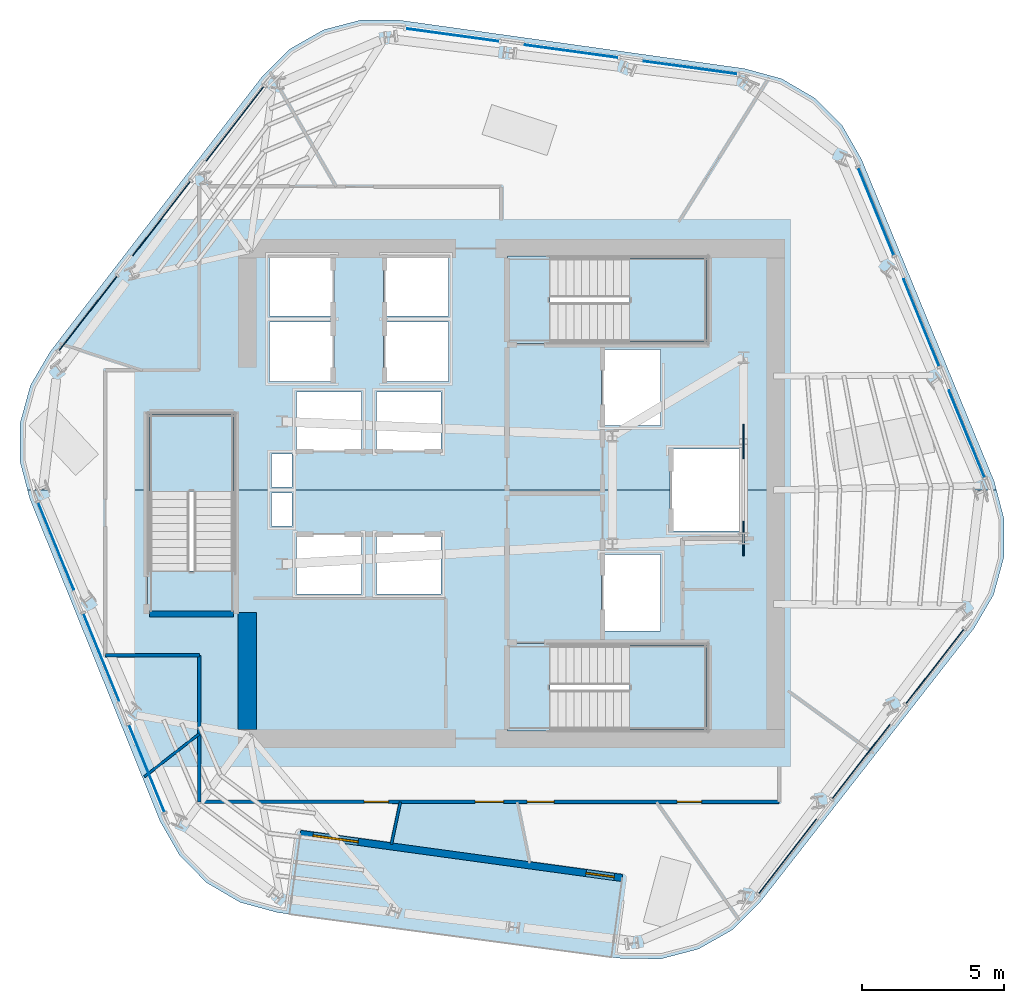
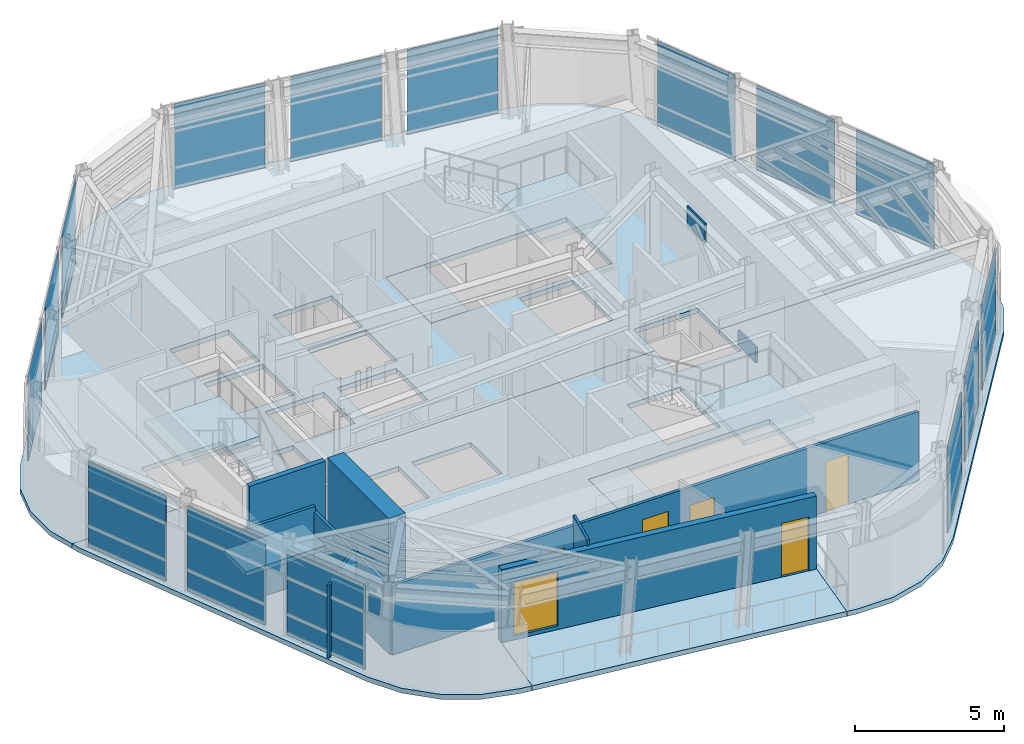
# One storey, part 5 of 12: 17 plates, 9 slabs, 8 walls, 5 doors, 1 window, 6 openings, 8 elements without a shape of their own.
"""IFC4 building model written with IfcOpenShell, lengths in metres."""

import ifcopenshell
import ifcopenshell.guid

model = None  # the IFC model being written
_history = None  # IfcOwnerHistory: only IFC2X3 demands one
_inside = {}  # id of a spatial element -> (the spatial element, [elements in it])
_under = {}  # id of a project, library or spatial element -> (it, [spatial elements below it])
_declared = {}  # id of a project -> (the project, [libraries it declares])
_typed = {}  # id of a type object -> (the type object, [elements of that type])
_made_of = {}  # id of a material, layer set ... -> (it, [elements and type objects made of it])


def new_model(schema):
    """Start an empty IFC model of exactly this schema.

    Asked for "IFC4X3", IfcOpenShell would pick the latest addendum, in which some entities
    have other attributes; the version numbers below select the first issue.
    IFC2X3 requires an IfcOwnerHistory on every rooted entity: one is made here for all.
    """
    global model, _history
    if schema == "IFC4X3":
        model = ifcopenshell.file(schema_version=(4, 3, 0, 0))
    else:
        model = ifcopenshell.file(schema=schema)
    _inside.clear()
    _under.clear()
    _declared.clear()
    _typed.clear()
    _made_of.clear()
    _history = None
    if model.schema == "IFC2X3":
        org = make("IfcOrganization", Name="unknown")
        user = make(
            "IfcPersonAndOrganization",
            ThePerson=make("IfcPerson", FamilyName="unknown"),
            TheOrganization=org,
        )
        app = make(
            "IfcApplication",
            ApplicationDeveloper=org,
            Version="unknown",
            ApplicationFullName="unknown",
            ApplicationIdentifier="unknown",
        )
        _history = make(
            "IfcOwnerHistory",
            OwningUser=user,
            OwningApplication=app,
            ChangeAction="ADDED",
            CreationDate=0,
        )
    return model


def make(cls, **values):
    """One entity of the class cls with the attributes given. An attribute that is None is left unset."""
    return model.create_entity(
        cls, **{name: value for name, value in values.items() if value is not None}
    )


def rooted(cls, **values):
    """An entity with a GlobalId (a new one), such as an element, a storey or a relation."""
    return make(cls, GlobalId=ifcopenshell.guid.new(), OwnerHistory=_history, **values)


def si_unit(unit_type, name, prefix=None):
    """IfcSIUnit, for example si_unit("LENGTHUNIT", "METRE", prefix="MILLI")."""
    return make("IfcSIUnit", UnitType=unit_type, Prefix=prefix, Name=name)


def assignment(units):
    """IfcUnitAssignment: the units of a project."""
    return None if units is None else make("IfcUnitAssignment", Units=units)


def point(xyz):
    """IfcCartesianPoint."""
    return None if xyz is None else make("IfcCartesianPoint", Coordinates=xyz)


def direction(xyz):
    """IfcDirection."""
    return None if xyz is None else make("IfcDirection", DirectionRatios=xyz)


def frame(location, z_axis=None, x_axis=None):
    """IfcAxis2Placement3D, a coordinate frame: its origin and axes. An axis left out is left unset."""
    return make(
        "IfcAxis2Placement3D",
        Location=point(location),
        Axis=direction(z_axis),
        RefDirection=direction(x_axis),
    )


def frame_2d(location, x_axis=None):
    """IfcAxis2Placement2D, a coordinate frame in the plane: its origin and x axis."""
    return make(
        "IfcAxis2Placement2D", Location=point(location), RefDirection=direction(x_axis)
    )


def origin():
    """The frame at (0, 0, 0) with its axes left unset."""
    return frame((0.0, 0.0, 0.0))


def origin_2d():
    """The frame at (0, 0) in the plane with its x axis left unset."""
    return frame_2d((0.0, 0.0))


def place(relative_to, where):
    """IfcLocalPlacement: puts the frame where relative to a parent placement (None: the world)."""
    return make(
        "IfcLocalPlacement", PlacementRelTo=relative_to, RelativePlacement=where
    )


def context(
    kind, dimensions, precision=None, world=None, true_north=None, identifier=None
):
    """IfcGeometricRepresentationContext, for example the 3D "Model" context."""
    return make(
        "IfcGeometricRepresentationContext",
        ContextIdentifier=identifier,
        ContextType=kind,
        CoordinateSpaceDimension=dimensions,
        Precision=precision,
        WorldCoordinateSystem=world,
        TrueNorth=true_north,
    )


def subcontext(parent, identifier, kind, view, scale=None):
    """IfcGeometricRepresentationSubContext, for example "Body" below "Model"."""
    return make(
        "IfcGeometricRepresentationSubContext",
        ContextIdentifier=identifier,
        ContextType=kind,
        ParentContext=parent,
        TargetScale=scale,
        TargetView=view,
    )


def project(units=None, contexts=None):
    """IfcProject with its units and contexts."""
    return rooted(
        "IfcProject",
        Name="project",
        RepresentationContexts=contexts,
        UnitsInContext=assignment(units),
    )


def spatial(cls, under=None, at=None, **own):
    """A site, building, storey or space (cls), placed at a placement, below another one or the project."""
    s = rooted(cls, ObjectPlacement=at, **own)
    if under is not None:
        _under.setdefault(under.id(), (under, []))[1].append(s)
    return s


def polyline(points):
    """IfcPolyline through the points."""
    return make("IfcPolyline", Points=[point(p) for p in points])


def profile(cls, at=None, kind="AREA", **sizes):
    """A parametric profile (cls). Its sizes go by their IFC names, for example OverallWidth=200.0."""
    return make(cls, ProfileType=kind, Position=at, **sizes)


def rectangle(**sizes):
    """IfcRectangleProfileDef."""
    return profile("IfcRectangleProfileDef", **sizes)


def outline(outer, holes=None, kind="AREA"):
    """IfcArbitraryClosedProfileDef: a profile drawn as a closed curve; with holes, ...WithVoids."""
    if holes is None:
        return make("IfcArbitraryClosedProfileDef", ProfileType=kind, OuterCurve=outer)
    return make(
        "IfcArbitraryProfileDefWithVoids",
        ProfileType=kind,
        OuterCurve=outer,
        InnerCurves=holes,
    )


def extrude(swept, where, along, depth):
    """IfcExtrudedAreaSolid: the profile swept, set in the frame where, extruded along a direction by depth."""
    return make(
        "IfcExtrudedAreaSolid",
        SweptArea=swept,
        Position=where,
        ExtrudedDirection=direction(along),
        Depth=depth,
    )


def shape(context_of_items, identifier, shape_type, items):
    """IfcShapeRepresentation: the items that make up one representation, for example the "Body"."""
    return make(
        "IfcShapeRepresentation",
        ContextOfItems=context_of_items,
        RepresentationIdentifier=identifier,
        RepresentationType=shape_type,
        Items=items,
    )


def material(Name=None, Category=None):
    """IfcMaterial."""
    return make("IfcMaterial", Name=Name, Category=Category)


def layer(
    of_material, thickness, ventilated=None, Name=None, Category=None, Priority=None
):
    """IfcMaterialLayer: one layer of a wall or slab, of a material (None: an air gap)."""
    return make(
        "IfcMaterialLayer",
        Material=of_material,
        LayerThickness=thickness,
        IsVentilated=ventilated,
        Name=Name,
        Category=Category,
        Priority=Priority,
    )


def layer_set(layers, Name=None):
    """IfcMaterialLayerSet."""
    return make("IfcMaterialLayerSet", MaterialLayers=layers, LayerSetName=Name)


def made_of(thing, what):
    """Note that an element or type object is made of a material, layer set ...; save() writes the relation."""
    if what is not None:
        _made_of.setdefault(what.id(), (what, []))[1].append(thing)
    return thing


def type_object(cls, material=None, **own):
    """A type object (cls), such as IfcWallType, which elements share."""
    return made_of(rooted(cls, **own), material)


def element(
    cls,
    number,
    at=None,
    inside=None,
    cuts=None,
    type_object=None,
    material=None,
    context=None,
    identifier="Body",
    shape_type=None,
    held_by="IfcProductDefinitionShape",
    body=None,
    shapes=None,
    **own,
):
    """One element of the class cls, such as IfcWall. Its Tag is "e" and its number.

    at: its placement. inside: the storey or other place that contains it. cuts: it is an
    opening in that element (IfcRelVoidsElement). A single representation is given by context,
    identifier, shape_type and body (its items); several are given by shapes. held_by: the class
    of the entity that holds the representations. save() writes the other relations.
    """
    e = rooted(cls, Tag="e%d" % number, ObjectPlacement=at, **own)
    if body is not None:
        shapes = [shape(context, identifier, shape_type, body)]
    if shapes is not None:
        e.Representation = make(held_by, Representations=shapes)
    if inside is not None:
        _inside.setdefault(inside.id(), (inside, []))[1].append(e)
    if cuts is not None:
        rooted(
            "IfcRelVoidsElement", RelatingBuildingElement=cuts, RelatedOpeningElement=e
        )
    if type_object is not None:
        _typed.setdefault(type_object.id(), (type_object, []))[1].append(e)
    return made_of(e, material)


def fill(opening, filler):
    """IfcRelFillsElement: the door or window that sits in an opening."""
    return rooted(
        "IfcRelFillsElement",
        RelatingOpeningElement=opening,
        RelatedBuildingElement=filler,
    )


def aggregate(whole, parts):
    """IfcRelAggregates: a whole, such as a stair, and the parts it consists of."""
    return rooted("IfcRelAggregates", RelatingObject=whole, RelatedObjects=parts)


def save(model, path):
    """Write the relations noted so far, then the file.

    IfcRelAggregates (storeys below a building ...), IfcRelContainedInSpatialStructure (elements
    in a storey), IfcRelDefinesByType, IfcRelAssociatesMaterial and IfcRelDeclares: one each for
    every whole, place, type object, material and project.
    """
    for whole, parts in _under.values():
        aggregate(whole, parts)
    for where, things in _inside.values():
        rooted(
            "IfcRelContainedInSpatialStructure",
            RelatedElements=things,
            RelatingStructure=where,
        )
    for kind, things in _typed.values():
        rooted("IfcRelDefinesByType", RelatedObjects=things, RelatingType=kind)
    for what, things in _made_of.values():
        rooted("IfcRelAssociatesMaterial", RelatedObjects=things, RelatingMaterial=what)
    for by, libraries in _declared.values():
        rooted("IfcRelDeclares", RelatingContext=by, RelatedDefinitions=libraries)
    model.write(path)


model = new_model("IFC4")

# Units and contexts
model_context = context("Model", 3, precision=1e-05, world=origin(), true_north=direction((0.0, 1.0)))
body_context = subcontext(model_context, "Body", "Model", "MODEL_VIEW")
ifc_project = project(units=[si_unit("LENGTHUNIT", "METRE"), si_unit("AREAUNIT", "SQUARE_METRE"), si_unit("VOLUMEUNIT", "CUBIC_METRE"), si_unit("PLANEANGLEUNIT", "RADIAN"), si_unit("MASSUNIT", "GRAM", prefix="KILO")], contexts=[model_context])

# Site, building, storey
site_placement = place(None, origin())
site = spatial("IfcSite", under=ifc_project, at=site_placement, CompositionType="ELEMENT")
building_placement = place(site_placement, origin())
building = spatial("IfcBuilding", under=site, at=building_placement, Name="Valkerne Bourse Tower", CompositionType="ELEMENT")
storey_placement = place(building_placement, frame((0.0, 0.0, 247.39990234375)))
storey = spatial("IfcBuildingStorey", under=building, at=storey_placement, Name="L63", CompositionType="ELEMENT", Elevation=247.39990234375)

# Curtain wall, plates
ifc_material_1 = material(Name="Aluminium AA 6063-T6", Category="aluminium")
ifc_layer_1 = layer(ifc_material_1, 0.239990234375)
ifc_layer_set_1 = layer_set([ifc_layer_1], Name="Aluminium AA 6063-T6")
curtain_wall_type = type_object("IfcCurtainWallType", Name="CW-04", PredefinedType="NOTDEFINED", material=ifc_layer_set_1)
curtain_wall_1_placement = place(storey_placement, origin())
curtain_wall_1 = element("IfcCurtainWall", 1, at=curtain_wall_1_placement, inside=storey, type_object=curtain_wall_type, Name="L63 Hexagonal Stick Curtain Wall Face 1", PredefinedType="NOTDEFINED")
ifc_material_2 = material(Name="Glass IGU Low-E Double Glazed", Category="glass")
ifc_layer_2 = layer(ifc_material_2, 0.031982421875)
ifc_layer_set_2 = layer_set([ifc_layer_2], Name="Glass IGU Low-E Double Glazed")
plate_type_1 = type_object("IfcPlateType", Name="CW-PNL-IGU-32", PredefinedType="CURTAIN_PANEL", material=ifc_layer_set_2)
plate_1_placement = place(storey_placement, frame((53.081787109375, 41.823486328125, 0.030029296875), z_axis=(0.0, 0.0, 1.0), x_axis=(-0.990749232021, 0.135705413488, 0.0)))
plate_1 = element("IfcPlate", 2, at=plate_1_placement, type_object=plate_type_1, Name="CW-L63-F1 Curtain Panel 00", PredefinedType="CURTAIN_PANEL", context=body_context, shape_type="SweptSolid", body=[
    extrude(rectangle(XDim=3.2919921875, YDim=0.031982421875, at=origin_2d()), origin(), (0.0, 0.0, 1.0), 3.47998046875),
])
plate_2_placement = place(storey_placement, frame((48.908935546875, 42.39501953125, 0.030029296875), z_axis=(0.0, 0.0, 1.0), x_axis=(-0.990748794787, 0.135708605577, 0.0)))
plate_2 = element("IfcPlate", 3, at=plate_2_placement, type_object=plate_type_1, Name="CW-L63-F1 Curtain Panel 01", PredefinedType="CURTAIN_PANEL", context=body_context, shape_type="SweptSolid", body=[
    extrude(rectangle(XDim=3.2919921875, YDim=0.031982421875, at=origin_2d()), origin(), (0.0, 0.0, 1.0), 3.47998046875),
])
plate_3_placement = place(storey_placement, frame((44.73583984375, 42.966552734375, 0.030029296875), z_axis=(0.0, 0.0, 1.0), x_axis=(-0.990745602352, 0.1357319101, 0.0)))
plate_3 = element("IfcPlate", 4, at=plate_3_placement, type_object=plate_type_1, Name="CW-L63-F1 Curtain Panel 02", PredefinedType="CURTAIN_PANEL", context=body_context, shape_type="SweptSolid", body=[
    extrude(rectangle(XDim=3.2919921875, YDim=0.031982421875, at=origin_2d()), origin(), (0.0, 0.0, 1.0), 3.47998046875),
])
aggregate(curtain_wall_1, [plate_1, plate_2, plate_3])

curtain_wall_2_placement = place(storey_placement, origin())
curtain_wall_2 = element("IfcCurtainWall", 5, at=curtain_wall_2_placement, inside=storey, type_object=curtain_wall_type, Name="L63 Hexagonal Stick Curtain Wall Face 2", PredefinedType="NOTDEFINED")
plate_4_placement = place(storey_placement, frame((37.103515625, 39.85205078125, 0.030029296875), z_axis=(0.0, 0.0, 1.0), x_axis=(-0.612916098506, -0.790147996385, 0.0)))
plate_4 = element("IfcPlate", 6, at=plate_4_placement, type_object=plate_type_1, Name="CW-L63-F2 Curtain Panel 00", PredefinedType="CURTAIN_PANEL", context=body_context, shape_type="SweptSolid", body=[
    extrude(rectangle(XDim=3.2919921875, YDim=0.031982421875, at=origin_2d()), origin(), (0.0, 0.0, 1.0), 3.47998046875),
])
plate_5_placement = place(storey_placement, frame((34.52197265625, 36.523681640625, 0.030029296875), z_axis=(0.0, 0.0, 1.0), x_axis=(-0.612901275427, -0.790159494394, 0.0)))
plate_5 = element("IfcPlate", 7, at=plate_5_placement, type_object=plate_type_1, Name="CW-L63-F2 Curtain Panel 01", PredefinedType="CURTAIN_PANEL", context=body_context, shape_type="SweptSolid", body=[
    extrude(rectangle(XDim=3.291748046875, YDim=0.031982421875, at=origin_2d()), origin(), (0.0, 0.0, 1.0), 3.47998046875),
])
plate_6_placement = place(storey_placement, frame((31.9404296875, 33.19580078125, 0.030029296875), z_axis=(0.0, 0.0, 1.0), x_axis=(-0.612904600679, -0.790156915091, 0.0)))
plate_6 = element("IfcPlate", 8, at=plate_6_placement, type_object=plate_type_1, Name="CW-L63-F2 Curtain Panel 02", PredefinedType="CURTAIN_PANEL", context=body_context, shape_type="SweptSolid", body=[
    extrude(rectangle(XDim=3.2919921875, YDim=0.031982421875, at=origin_2d()), origin(), (0.0, 0.0, 1.0), 3.47998046875),
])
aggregate(curtain_wall_2, [plate_4, plate_5, plate_6])

curtain_wall_3_placement = place(storey_placement, origin())
curtain_wall_3 = element("IfcCurtainWall", 9, at=curtain_wall_3_placement, inside=storey, type_object=curtain_wall_type, Name="L63 Hexagonal Stick Curtain Wall Face 3", PredefinedType="NOTDEFINED")
plate_7_placement = place(storey_placement, frame((30.821533203125, 25.028564453125, 0.030029296875), z_axis=(0.0, 0.0, 1.0), x_axis=(0.377853386726, -0.925865442783, 0.0)))
plate_7 = element("IfcPlate", 10, at=plate_7_placement, type_object=plate_type_1, Name="CW-L63-F3 Curtain Panel 00", PredefinedType="CURTAIN_PANEL", context=body_context, shape_type="SweptSolid", body=[
    extrude(rectangle(XDim=3.2919921875, YDim=0.031982421875, at=origin_2d()), origin(), (0.0, 0.0, 1.0), 3.47998046875),
])
plate_8_placement = place(storey_placement, frame((32.4130859375, 21.12890625, 0.030029296875), z_axis=(0.0, 0.0, 1.0), x_axis=(0.377845080973, -0.925868832387, 0.0)))
plate_8 = element("IfcPlate", 11, at=plate_8_placement, type_object=plate_type_1, Name="CW-L63-F3 Curtain Panel 01", PredefinedType="CURTAIN_PANEL", context=body_context, shape_type="SweptSolid", body=[
    extrude(rectangle(XDim=3.2919921875, YDim=0.031982421875, at=origin_2d()), origin(), (0.0, 0.0, 1.0), 3.47998046875),
])
plate_9_placement = place(storey_placement, frame((34.004638671875, 17.22900390625, 0.030029296875), z_axis=(0.0, 0.0, 1.0), x_axis=(0.377824728737, -0.925877137829, 0.0)))
plate_9 = element("IfcPlate", 12, at=plate_9_placement, type_object=plate_type_1, Name="CW-L63-F3 Curtain Panel 02", PredefinedType="CURTAIN_PANEL", context=body_context, shape_type="SweptSolid", body=[
    extrude(rectangle(XDim=3.2919921875, YDim=0.031982421875, at=origin_2d()), origin(), (0.0, 0.0, 1.0), 3.47998046875),
])
aggregate(curtain_wall_3, [plate_7, plate_8, plate_9])

curtain_wall_4_placement = place(storey_placement, origin())
curtain_wall_4 = element("IfcCurtainWall", 13, at=curtain_wall_4_placement, inside=storey, type_object=curtain_wall_type, Name="L63 Hexagonal Stick Curtain Wall Face 5", PredefinedType="NOTDEFINED")
plate_10_placement = place(storey_placement, frame((56.496337890625, 14.14794921875, 0.030029296875), z_axis=(0.0, 0.0, 1.0), x_axis=(0.612916098506, 0.790147996385, 0.0)))
plate_10 = element("IfcPlate", 14, at=plate_10_placement, type_object=plate_type_1, Name="CW-L63-F5 Curtain Panel 00", PredefinedType="CURTAIN_PANEL", context=body_context, shape_type="SweptSolid", body=[
    extrude(rectangle(XDim=3.2919921875, YDim=0.031982421875, at=origin_2d()), origin(), (0.0, 0.0, 1.0), 3.47998046875),
])
plate_11_placement = place(storey_placement, frame((59.077880859375, 17.47607421875, 0.030029296875), z_axis=(0.0, 0.0, 1.0), x_axis=(0.612901275427, 0.790159494394, 0.0)))
plate_11 = element("IfcPlate", 15, at=plate_11_placement, type_object=plate_type_1, Name="CW-L63-F5 Curtain Panel 01", PredefinedType="CURTAIN_PANEL", context=body_context, shape_type="SweptSolid", body=[
    extrude(rectangle(XDim=3.291748046875, YDim=0.031982421875, at=origin_2d()), origin(), (0.0, 0.0, 1.0), 3.47998046875),
])
plate_12_placement = place(storey_placement, frame((61.659423828125, 20.80419921875, 0.030029296875), z_axis=(0.0, 0.0, 1.0), x_axis=(0.612904600679, 0.790156915091, 0.0)))
plate_12 = element("IfcPlate", 16, at=plate_12_placement, type_object=plate_type_1, Name="CW-L63-F5 Curtain Panel 02", PredefinedType="CURTAIN_PANEL", context=body_context, shape_type="SweptSolid", body=[
    extrude(rectangle(XDim=3.2919921875, YDim=0.031982421875, at=origin_2d()), origin(), (0.0, 0.0, 1.0), 3.47998046875),
])
aggregate(curtain_wall_4, [plate_10, plate_11, plate_12])

curtain_wall_5_placement = place(storey_placement, origin())
curtain_wall_5 = element("IfcCurtainWall", 17, at=curtain_wall_5_placement, inside=storey, type_object=curtain_wall_type, Name="L63 Hexagonal Stick Curtain Wall Face 6", PredefinedType="NOTDEFINED")
plate_13_placement = place(storey_placement, frame((62.7783203125, 28.971435546875, 0.030029296875), z_axis=(0.0, 0.0, 1.0), x_axis=(-0.377853386726, 0.925865442783, 0.0)))
plate_13 = element("IfcPlate", 18, at=plate_13_placement, type_object=plate_type_1, Name="CW-L63-F6 Curtain Panel 00", PredefinedType="CURTAIN_PANEL", context=body_context, shape_type="SweptSolid", body=[
    extrude(rectangle(XDim=3.2919921875, YDim=0.031982421875, at=origin_2d()), origin(), (0.0, 0.0, 1.0), 3.47998046875),
])
plate_14_placement = place(storey_placement, frame((61.186767578125, 32.87109375, 0.030029296875), z_axis=(0.0, 0.0, 1.0), x_axis=(-0.377845080973, 0.925868832387, 0.0)))
plate_14 = element("IfcPlate", 19, at=plate_14_placement, type_object=plate_type_1, Name="CW-L63-F6 Curtain Panel 01", PredefinedType="CURTAIN_PANEL", context=body_context, shape_type="SweptSolid", body=[
    extrude(rectangle(XDim=3.2919921875, YDim=0.031982421875, at=origin_2d()), origin(), (0.0, 0.0, 1.0), 3.47998046875),
])
plate_15_placement = place(storey_placement, frame((59.595458984375, 36.77099609375, 0.030029296875), z_axis=(0.0, 0.0, 1.0), x_axis=(-0.377824728737, 0.925877137829, 0.0)))
plate_15 = element("IfcPlate", 20, at=plate_15_placement, type_object=plate_type_1, Name="CW-L63-F6 Curtain Panel 02", PredefinedType="CURTAIN_PANEL", context=body_context, shape_type="SweptSolid", body=[
    extrude(rectangle(XDim=3.2919921875, YDim=0.031982421875, at=origin_2d()), origin(), (0.0, 0.0, 1.0), 3.47998046875),
])
aggregate(curtain_wall_5, [plate_13, plate_14, plate_15])

# Plates
ifc_material_3 = material(Name="Steel ASTM A572 Grade 50", Category="steel")
ifc_layer_3 = layer(ifc_material_3, 0.06005859375)
ifc_layer_set_3 = layer_set([ifc_layer_3], Name="Steel ASTM A572 Grade 50")
plate_type_2 = type_object("IfcPlateType", Name="PLT-GUS-60", PredefinedType="SHEET", material=ifc_layer_set_3)
for number, where, z_axis, x_axis, name in (
    (21, (54.949951171875, 25.300048828125, -0.1796875), (0.0, 0.0, 1.0), (0.0, 1.0, 0.0), "L63 Brace Node Gusset Plate PLT-GUS-END-L63-442"),
    (22, (54.949951171875, 28.699951171875, 2.833984375), (0.0, 0.0, 1.0), (0.0, 1.0, 0.0), "L63 Brace Node Gusset Plate PLT-GUS-END-L63-443"),
):
    element("IfcPlate", number, at=place(storey_placement, frame(where, z_axis=z_axis, x_axis=x_axis)), inside=storey, type_object=plate_type_2, Name=name, PredefinedType="SHEET", context=body_context, shape_type="SweptSolid", body=[
        extrude(rectangle(XDim=1.199951171875, YDim=0.06005859375, at=origin_2d()), origin(), (0.0, 0.0, 1.0), 0.800048828125),
    ])

# Slabs
ifc_material_4 = material(Name="Concrete C40/50", Category="concrete")
ifc_layer_4 = layer(ifc_material_4, 0.25)
ifc_layer_set_4 = layer_set([ifc_layer_4], Name="Concrete C40/50")
slab_type_1 = type_object("IfcSlabType", Name="SLB-RMP-LND-250", PredefinedType="LANDING", material=ifc_layer_set_4)
slab_1_placement = place(storey_placement, frame((0.0, 0.0, -0.199951171875)))
element("IfcSlab", 23, at=slab_1_placement, inside=storey, type_object=slab_type_1, Name="L63 ST-1 Floor Landing Slab", PredefinedType="LANDING", context=body_context, shape_type="SweptSolid", body=[
    extrude(outline(polyline([(46.669921875, 18.5400390625), (48.14990234375, 18.5400390625), (48.14990234375, 21.610107421875), (46.669921875, 21.610107421875), (46.669921875, 18.5400390625)])), origin(), (0.0, 0.0, 1.0), 0.199951171875),
])
slab_2_placement = place(storey_placement, frame((0.0, 0.0, -0.199951171875)))
element("IfcSlab", 24, at=slab_2_placement, inside=storey, type_object=slab_type_1, Name="L63 ST-2 Floor Landing Slab", PredefinedType="LANDING", context=body_context, shape_type="SweptSolid", body=[
    extrude(outline(polyline([(46.669921875, 32.139892578125), (48.14990234375, 32.139892578125), (48.14990234375, 35.2099609375), (46.669921875, 35.2099609375), (46.669921875, 32.139892578125)])), origin(), (0.0, 0.0, 1.0), 0.199951171875),
])
slab_3_placement = place(storey_placement, frame((0.0, 0.0, -0.199951171875)))
element("IfcSlab", 25, at=slab_3_placement, inside=storey, type_object=slab_type_1, Name="L63 ST-3 Floor Landing Slab", PredefinedType="LANDING", context=body_context, shape_type="SweptSolid", body=[
    extrude(outline(polyline([(37.110107421875, 22.669921875), (37.110107421875, 24.14990234375), (34.0400390625, 24.14990234375), (34.0400390625, 22.669921875), (37.110107421875, 22.669921875)])), origin(), (0.0, 0.0, 1.0), 0.199951171875),
])

# Stair, slab
stair_type = type_object("IfcStairType", Name="ST-CORE-1400", PredefinedType="HALF_TURN_STAIR", material=ifc_material_4)
stair_1_placement = place(storey_placement, origin())
stair_1 = element("IfcStair", 26, at=stair_1_placement, inside=storey, type_object=stair_type, Name="L63 ST-1", PredefinedType="HALF_TURN_STAIR")
ifc_layer_5 = layer(ifc_material_4, 0.179931640625)
ifc_layer_set_5 = layer_set([ifc_layer_5], Name="Concrete C40/50")
slab_type_2 = type_object("IfcSlabType", Name="SLB-ST-LND-180", PredefinedType="LANDING", material=ifc_layer_set_5)
slab_4_placement = place(storey_placement, frame((0.0, 0.0, 1.7001953125)))
slab_4 = element("IfcSlab", 27, at=slab_4_placement, type_object=slab_type_2, Name="ST-1 landing 1", PredefinedType="LANDING", context=body_context, shape_type="SweptSolid", body=[
    extrude(outline(polyline([(50.949951171875, 18.60009765625), (53.64990234375, 18.60009765625), (53.64990234375, 21.550048828125), (50.949951171875, 21.550048828125), (50.949951171875, 18.60009765625)])), origin(), (0.0, 0.0, 1.0), 0.199951171875),
])
aggregate(stair_1, [slab_4])

stair_2_placement = place(storey_placement, origin())
stair_2 = element("IfcStair", 28, at=stair_2_placement, inside=storey, type_object=stair_type, Name="L63 ST-2", PredefinedType="HALF_TURN_STAIR")
slab_5_placement = place(storey_placement, frame((0.0, 0.0, 1.7001953125)))
slab_5 = element("IfcSlab", 29, at=slab_5_placement, type_object=slab_type_2, Name="ST-2 landing 1", PredefinedType="LANDING", context=body_context, shape_type="SweptSolid", body=[
    extrude(outline(polyline([(50.949951171875, 32.199951171875), (53.64990234375, 32.199951171875), (53.64990234375, 35.14990234375), (50.949951171875, 35.14990234375), (50.949951171875, 32.199951171875)])), origin(), (0.0, 0.0, 1.0), 0.199951171875),
])
aggregate(stair_2, [slab_5])

stair_3_placement = place(storey_placement, origin())
stair_3 = element("IfcStair", 30, at=stair_3_placement, inside=storey, type_object=stair_type, Name="L63 ST-3", PredefinedType="HALF_TURN_STAIR")
slab_6_placement = place(storey_placement, frame((0.0, 0.0, 1.7001953125)))
slab_6 = element("IfcSlab", 31, at=slab_6_placement, type_object=slab_type_2, Name="ST-3 landing 1", PredefinedType="LANDING", context=body_context, shape_type="SweptSolid", body=[
    extrude(outline(polyline([(37.050048828125, 26.949951171875), (37.050048828125, 29.64990234375), (34.10009765625, 29.64990234375), (34.10009765625, 26.949951171875), (37.050048828125, 26.949951171875)])), origin(), (0.0, 0.0, 1.0), 0.199951171875),
])
aggregate(stair_3, [slab_6])

# Slabs
ifc_layer_6 = layer(ifc_material_4, 0.199951171875)
ifc_layer_set_6 = layer_set([ifc_layer_6], Name="Concrete C40/50")
slab_type_3 = type_object("IfcSlabType", Name="SLB-TER-200", PredefinedType="FLOOR", material=ifc_layer_set_6)
slab_7_placement = place(storey_placement, frame((0.0, 0.0, -0.199951171875)))
element("IfcSlab", 32, at=slab_7_placement, inside=storey, type_object=slab_type_3, Name="L63 V-Notch Stepped Outdoor Terrace Slab", PredefinedType="FLOOR", context=body_context, shape_type="SweptSolid", body=[
    extrude(outline(polyline([(39.00830078125, 12.118896484375), (39.3935546875, 14.931884765625), (50.688232421875, 13.384765625), (50.30810546875, 10.609375), (39.00830078125, 12.118896484375)])), origin(), (0.0, 0.0, 1.0), 0.199951171875),
])
ifc_layer_7 = layer(ifc_material_4, 0.199951171875)
ifc_layer_set_7 = layer_set([ifc_layer_7], Name="Concrete C40/50")
slab_type_4 = type_object("IfcSlabType", Name="SLB-TOW-200", PredefinedType="FLOOR", material=ifc_layer_set_7)
slab_8_placement = place(storey_placement, frame((0.0, 0.0, -0.199951171875)))
element("IfcSlab", 33, at=slab_8_placement, inside=storey, type_object=slab_type_4, Name="L63 Hexagonal Composite Floor Slab S", PredefinedType="FLOOR", context=body_context, shape_type="SweptSolid", body=[
    extrude(outline(polyline([(36.109619140625, 13.218017578125), (35.15478515625, 14.182861328125), (34.482177734375, 15.36181640625), (29.90283203125, 26.6904296875), (29.821533203125, 27.0), (34.034912109375, 27.0), (34.034912109375, 22.6650390625), (37.114990234375, 22.6650390625), (37.114990234375, 27.0), (52.360107421875, 27.0), (52.360107421875, 25.56005859375), (54.840087890625, 25.56005859375), (54.840087890625, 27.0), (63.822998046875, 27.0), (64.087890625, 25.990234375), (64.080810546875, 24.6328125), (63.72265625, 23.323486328125), (63.037841796875, 22.1513671875), (55.516845703125, 12.521484375), (54.552001953125, 11.56640625), (53.372802734375, 10.89404296875), (52.059814453125, 10.549560546875), (50.702392578125, 10.556640625), (50.30810546875, 10.609375), (50.688232421875, 13.384765625), (39.3935546875, 14.931884765625), (39.00830078125, 12.118896484375), (38.5908203125, 12.1748046875), (37.281494140625, 12.532958984375), (36.109619140625, 13.218017578125)]), holes=[polyline([(41.5400390625, 25.43994140625), (39.260009765625, 25.43994140625), (39.260009765625, 23.360107421875), (41.5400390625, 23.360107421875), (41.5400390625, 25.43994140625)]), polyline([(44.340087890625, 25.43994140625), (42.06005859375, 25.43994140625), (42.06005859375, 23.360107421875), (44.340087890625, 23.360107421875), (44.340087890625, 25.43994140625)]), polyline([(39.10009765625, 26.89990234375), (38.3798828125, 26.89990234375), (38.3798828125, 25.72998046875), (39.10009765625, 25.72998046875), (39.10009765625, 26.89990234375)]), polyline([(53.675048828125, 21.614990234375), (46.6650390625, 21.614990234375), (46.6650390625, 18.534912109375), (53.675048828125, 18.534912109375), (53.675048828125, 21.614990234375)]), polyline([(52.0400390625, 24.739990234375), (49.9599609375, 24.739990234375), (49.9599609375, 22.06005859375), (52.0400390625, 22.06005859375), (52.0400390625, 24.739990234375)])]), origin(), (0.0, 0.0, 1.0), 0.199951171875),
])
slab_9_placement = place(storey_placement, frame((0.0, 0.0, -0.199951171875)))
element("IfcSlab", 34, at=slab_9_placement, inside=storey, type_object=slab_type_4, Name="L63 Hexagonal Composite Floor Slab N", PredefinedType="FLOOR", context=body_context, shape_type="SweptSolid", body=[
    extrude(outline(polyline([(29.558349609375, 28.00341796875), (29.5654296875, 29.36083984375), (29.923583984375, 30.670166015625), (30.6083984375, 31.84228515625), (38.065673828125, 41.52197265625), (39.030517578125, 42.476806640625), (40.209716796875, 43.1494140625), (41.522705078125, 43.49365234375), (42.880126953125, 43.486572265625), (54.98046875, 41.788330078125), (56.289794921875, 41.43017578125), (57.4619140625, 40.7451171875), (58.416748046875, 39.7802734375), (59.08935546875, 38.601318359375), (63.743408203125, 27.30322265625), (63.822998046875, 27.0), (54.840087890625, 27.0), (54.840087890625, 28.43994140625), (52.360107421875, 28.43994140625), (52.360107421875, 27.0), (37.114990234375, 27.0), (37.114990234375, 29.675048828125), (34.034912109375, 29.675048828125), (34.034912109375, 27.0), (29.821533203125, 27.0), (29.558349609375, 28.00341796875)]), holes=[polyline([(39.10009765625, 28.27001953125), (38.3798828125, 28.27001953125), (38.3798828125, 27.10009765625), (39.10009765625, 27.10009765625), (39.10009765625, 28.27001953125)]), polyline([(41.5400390625, 30.43994140625), (39.260009765625, 30.43994140625), (39.260009765625, 28.360107421875), (41.5400390625, 28.360107421875), (41.5400390625, 30.43994140625)]), polyline([(40.590087890625, 32.889892578125), (38.31005859375, 32.889892578125), (38.31005859375, 30.81005859375), (40.590087890625, 30.81005859375), (40.590087890625, 32.889892578125)]), polyline([(40.590087890625, 35.18994140625), (38.31005859375, 35.18994140625), (38.31005859375, 33.110107421875), (40.590087890625, 33.110107421875), (40.590087890625, 35.18994140625)]), polyline([(44.340087890625, 30.43994140625), (42.06005859375, 30.43994140625), (42.06005859375, 28.360107421875), (44.340087890625, 28.360107421875), (44.340087890625, 30.43994140625)]), polyline([(52.0400390625, 31.93994140625), (49.9599609375, 31.93994140625), (49.9599609375, 29.260009765625), (52.0400390625, 29.260009765625), (52.0400390625, 31.93994140625)]), polyline([(44.590087890625, 32.889892578125), (42.31005859375, 32.889892578125), (42.31005859375, 30.81005859375), (44.590087890625, 30.81005859375), (44.590087890625, 32.889892578125)]), polyline([(53.675048828125, 35.215087890625), (46.6650390625, 35.215087890625), (46.6650390625, 32.135009765625), (53.675048828125, 32.135009765625), (53.675048828125, 35.215087890625)]), polyline([(44.590087890625, 35.18994140625), (42.31005859375, 35.18994140625), (42.31005859375, 33.110107421875), (44.590087890625, 33.110107421875), (44.590087890625, 35.18994140625)])]), origin(), (0.0, 0.0, 1.0), 0.199951171875),
])

# Walls
ifc_material_5 = material(Name="Concrete C55/67", Category="concrete")
ifc_layer_8 = layer(ifc_material_5, 0.64990234375)
ifc_layer_set_8 = layer_set([ifc_layer_8], Name="Concrete C55/67")
wall_type_1 = type_object("IfcWallType", Name="W-CORE-650", PredefinedType="SHEAR", material=ifc_layer_set_8)
wall_1_placement = place(storey_placement, frame((37.52490234375, 18.60009765625, 0.0), z_axis=(0.0, 0.0, 1.0), x_axis=(0.0, 1.0, 0.0)))
element("IfcWall", 35, at=wall_1_placement, inside=storey, type_object=wall_type_1, Name="L63 Core Shear Wall WEST-S", PredefinedType="SHEAR", context=body_context, shape_type="SweptSolid", body=[
    extrude(rectangle(XDim=4.099853515625, YDim=0.64990234375, at=frame_2d((2.0498046875, 0.0))), origin(), (0.0, 0.0, 1.0), 3.5400390625),
])
ifc_material_6 = material(Name="Gypsum Board Steel-Stud Partition", Category="steel")
ifc_layer_9 = layer(ifc_material_6, 0.117919921875)
ifc_layer_set_9 = layer_set([ifc_layer_9], Name="Gypsum Board Steel-Stud Partition")
wall_type_2 = type_object("IfcWallType", Name="W-CORR-140", PredefinedType="PARTITIONING", material=ifc_layer_set_9)
wall_2_placement = place(storey_placement, frame((35.85009765625, 16.06005859375, 0.0), z_axis=(0.0, 0.0, 1.0), x_axis=(0.0, 1.0, 0.0)))
element("IfcWall", 36, at=wall_2_placement, inside=storey, type_object=wall_type_2, Name="L63 Corridor Enclosure Wall", PredefinedType="PARTITIONING", context=body_context, shape_type="SweptSolid", body=[
    extrude(rectangle(XDim=5.139892578125, YDim=0.117919921875, at=frame_2d((2.56982421875, 0.0))), origin(), (0.0, 0.0, 1.0), 2.760498046875),
])
wall_3_placement = place(storey_placement, frame((35.85009765625, 21.199951171875, 0.0), z_axis=(0.0, 0.0, 1.0), x_axis=(-1.0, 0.0, 0.0)))
element("IfcWall", 37, at=wall_3_placement, inside=storey, type_object=wall_type_2, Name="L63 Corridor Enclosure Wall", PredefinedType="PARTITIONING", context=body_context, shape_type="SweptSolid", body=[
    extrude(rectangle(XDim=3.300048828125, YDim=0.117919921875, at=frame_2d((1.64990234375, 0.0))), origin(), (0.0, 0.0, 1.0), 2.9765625),
])

# Wall, openings, doors
wall_4_placement = place(storey_placement, frame((56.199951171875, 16.06005859375, 0.0), z_axis=(0.0, 0.0, 1.0), x_axis=(-1.0, 0.0, 0.0)))
wall_4 = element("IfcWall", 38, at=wall_4_placement, inside=storey, type_object=wall_type_2, Name="L63 Corridor Enclosure Wall", PredefinedType="PARTITIONING", context=body_context, shape_type="SweptSolid", body=[
    extrude(rectangle(XDim=20.349853515625, YDim=0.117919921875, at=frame_2d((10.1748046875, 0.0))), origin(), (0.0, 0.0, 1.0), 2.836669921875),
])
opening_1_placement = place(wall_4_placement, frame((13.705078125, 0.0, 0.0)))
opening_1 = element("IfcOpeningElement", 39, at=opening_1_placement, cuts=wall_4, Name="Opening D-WC-900", PredefinedType="OPENING", context=body_context, shape_type="SweptSolid", body=[
    extrude(rectangle(XDim=0.860107421875, YDim=2.050048828125, at=frame_2d((0.43017578125, 1.02490234375))), frame((0.0, 0.06884765625, 0.0), z_axis=(0.0, -1.0, 0.0), x_axis=(1.0, 0.0, 0.0)), (0.0, 0.0, 1.0), 0.137939453125),
])
opening_2_placement = place(wall_4_placement, frame((2.72509765625, 0.0, 0.0)))
opening_2 = element("IfcOpeningElement", 40, at=opening_2_placement, cuts=wall_4, Name="Opening D-WC-900", PredefinedType="OPENING", context=body_context, shape_type="SweptSolid", body=[
    extrude(rectangle(XDim=0.860107421875, YDim=2.050048828125, at=frame_2d((0.43017578125, 1.02490234375))), frame((0.0, 0.06884765625, 0.0), z_axis=(0.0, -1.0, 0.0), x_axis=(1.0, 0.0, 0.0)), (0.0, 0.0, 1.0), 0.137939453125),
])
opening_3_placement = place(wall_4_placement, frame((7.89990234375, 0.0, 0.0)))
opening_3 = element("IfcOpeningElement", 41, at=opening_3_placement, cuts=wall_4, Name="Opening D-OF-950", PredefinedType="OPENING", context=body_context, shape_type="SweptSolid", body=[
    extrude(rectangle(XDim=0.949951171875, YDim=2.10009765625, at=frame_2d((0.47509765625, 1.050048828125))), frame((0.0, 0.06884765625, 0.0), z_axis=(0.0, -1.0, 0.0), x_axis=(1.0, 0.0, 0.0)), (0.0, 0.0, 1.0), 0.137939453125),
])
opening_4_placement = place(wall_4_placement, frame((9.675048828125, 0.0, 0.0)))
opening_4 = element("IfcOpeningElement", 42, at=opening_4_placement, cuts=wall_4, Name="Opening D-MG-1000", PredefinedType="OPENING", context=body_context, shape_type="SweptSolid", body=[
    extrude(rectangle(XDim=1.0, YDim=2.14990234375, at=frame_2d((0.5, 1.074951171875))), frame((0.0, 0.06884765625, 0.0), z_axis=(0.0, -1.0, 0.0), x_axis=(1.0, 0.0, 0.0)), (0.0, 0.0, 1.0), 0.137939453125),
])
ifc_material_7 = material(Name="Laminated Tempered Safety Glass", Category="glass")
door_type_1 = type_object("IfcDoorType", Name="DR-MTG-1000", OperationType="NOTDEFINED", PredefinedType="DOOR", material=ifc_material_7)
door_1_placement = place(opening_4_placement, origin())
door_1 = element("IfcDoor", 43, at=door_1_placement, inside=storey, type_object=door_type_1, Name="L63 L63 Client Strategy Conference Room 7 Door", OperationType="SINGLE_SWING_RIGHT", OverallHeight=2.14990234375, OverallWidth=1.0, PredefinedType="DOOR", context=body_context, shape_type="SweptSolid", body=[
    extrude(rectangle(XDim=1.0, YDim=2.14990234375, at=frame_2d((0.5, 1.074951171875))), frame((0.0, 0.02490234375, 0.0), z_axis=(0.0, -1.0, 0.0), x_axis=(1.0, 0.0, 0.0)), (0.0, 0.0, 1.0), 0.050048828125),
])
fill(opening_4, door_1)
ifc_material_8 = material(Name="Architectural White Oak Timber", Category="wood")
door_type_2 = type_object("IfcDoorType", Name="DR-OFF-950", OperationType="NOTDEFINED", PredefinedType="DOOR", material=ifc_material_8)
door_2_placement = place(opening_3_placement, origin())
door_2 = element("IfcDoor", 44, at=door_2_placement, inside=storey, type_object=door_type_2, Name="L63 L63 VIP Client Concierge Reception 3 Door", OperationType="SINGLE_SWING_LEFT", OverallHeight=2.10009765625, OverallWidth=0.949951171875, PredefinedType="DOOR", context=body_context, shape_type="SweptSolid", body=[
    extrude(rectangle(XDim=0.949951171875, YDim=2.10009765625, at=frame_2d((0.47509765625, 1.050048828125))), frame((0.0, 0.02490234375, 0.0), z_axis=(0.0, -1.0, 0.0), x_axis=(1.0, 0.0, 0.0)), (0.0, 0.0, 1.0), 0.050048828125),
])
fill(opening_3, door_2)
door_type_3 = type_object("IfcDoorType", Name="DR-WC-900", OperationType="NOTDEFINED", PredefinedType="DOOR", material=ifc_material_8)
door_3_placement = place(opening_1_placement, origin())
door_3 = element("IfcDoor", 45, at=door_3_placement, inside=storey, type_object=door_type_3, Name="L63 L63 Men Bathroom WC 1 Door", OperationType="SINGLE_SWING_LEFT", OverallHeight=2.050048828125, OverallWidth=0.860107421875, PredefinedType="DOOR", context=body_context, shape_type="SweptSolid", body=[
    extrude(rectangle(XDim=0.860107421875, YDim=2.050048828125, at=frame_2d((0.43017578125, 1.02490234375))), frame((0.0, 0.02490234375, 0.0), z_axis=(0.0, -1.0, 0.0), x_axis=(1.0, 0.0, 0.0)), (0.0, 0.0, 1.0), 0.050048828125),
])
fill(opening_1, door_3)
door_4_placement = place(opening_2_placement, origin())
door_4 = element("IfcDoor", 46, at=door_4_placement, inside=storey, type_object=door_type_3, Name="L63 L63 Women Restroom & Shower WC 2 Door", OperationType="SINGLE_SWING_LEFT", OverallHeight=2.050048828125, OverallWidth=0.860107421875, PredefinedType="DOOR", context=body_context, shape_type="SweptSolid", body=[
    extrude(rectangle(XDim=0.860107421875, YDim=2.050048828125, at=frame_2d((0.43017578125, 1.02490234375))), frame((0.0, 0.02490234375, 0.0), z_axis=(0.0, -1.0, 0.0), x_axis=(1.0, 0.0, 0.0)), (0.0, 0.0, 1.0), 0.050048828125),
])
fill(opening_2, door_4)

# Wall, openings, door, window
ifc_material_9 = material(Name="Bronze Anodised Aluminium AA 6063-T6", Category="aluminium")
ifc_layer_10 = layer(ifc_material_9, 0.25)
ifc_layer_set_10 = layer_set([ifc_layer_10], Name="Bronze Anodised Aluminium AA 6063-T6")
wall_type_3 = type_object("IfcWallType", Name="W-EXT-TER-250", PredefinedType="STANDARD", material=ifc_layer_set_10)
wall_5_placement = place(storey_placement, frame((39.3935546875, 14.931884765625, 0.0), z_axis=(0.0, 0.0, 1.0), x_axis=(0.990748539345, -0.135710470437, 0.0)))
wall_5 = element("IfcWall", 47, at=wall_5_placement, inside=storey, type_object=wall_type_3, Name="L63 V-Notch Terrace Glazed Access Wall", PredefinedType="STANDARD", context=body_context, shape_type="SweptSolid", body=[
    extrude(rectangle(XDim=11.400146484375, YDim=0.25, at=frame_2d((5.7001953125, 0.0))), origin(), (0.0, 0.0, 1.0), 2.985595703125),
])
opening_5_placement = place(wall_5_placement, frame((10.1201171875, 0.0, 0.0)))
opening_5 = element("IfcOpeningElement", 48, at=opening_5_placement, cuts=wall_5, Name="Opening DT-1000", PredefinedType="OPENING", context=body_context, shape_type="SweptSolid", body=[
    extrude(rectangle(XDim=1.0, YDim=2.199951171875, at=frame_2d((0.5, 1.10009765625))), frame((0.0, 0.135009765625, 0.0), z_axis=(0.0, -1.0, 0.0), x_axis=(1.0, 0.0, 0.0)), (0.0, 0.0, 1.0), 0.27001953125),
])
opening_6_placement = place(wall_5_placement, frame((0.449951171875, 0.0, 0.14990234375)))
opening_6 = element("IfcOpeningElement", 49, at=opening_6_placement, cuts=wall_5, Name="Opening WN-04", PredefinedType="OPENING", context=body_context, shape_type="SweptSolid", body=[
    extrude(rectangle(XDim=1.60009765625, YDim=2.199951171875, at=frame_2d((0.800048828125, 1.10009765625))), frame((0.0, 0.135009765625, 0.0), z_axis=(0.0, -1.0, 0.0), x_axis=(1.0, 0.0, 0.0)), (0.0, 0.0, 1.0), 0.27001953125),
])
door_type_4 = type_object("IfcDoorType", Name="DR-EXT-TER-1000", OperationType="NOTDEFINED", PredefinedType="DOOR", material=ifc_material_2)
door_5_placement = place(opening_5_placement, origin())
door_5 = element("IfcDoor", 50, at=door_5_placement, inside=storey, type_object=door_type_4, Name="L63 V-Notch Outdoor Terrace Access Door", OperationType="SINGLE_SWING_RIGHT", OverallHeight=2.199951171875, OverallWidth=1.0, PredefinedType="DOOR", context=body_context, shape_type="SweptSolid", body=[
    extrude(rectangle(XDim=1.0, YDim=2.199951171875, at=frame_2d((0.5, 1.10009765625))), frame((0.0, 0.02490234375, 0.0), z_axis=(0.0, -1.0, 0.0), x_axis=(1.0, 0.0, 0.0)), (0.0, 0.0, 1.0), 0.050048828125),
])
fill(opening_5, door_5)
window_type = type_object("IfcWindowType", Name="WIN-TER-1600X2200", PartitioningType="SINGLE_PANEL", PredefinedType="WINDOW", material=ifc_material_2)
window_placement = place(opening_6_placement, origin())
window = element("IfcWindow", 51, at=window_placement, inside=storey, type_object=window_type, Name="L63 V-Notch Terrace Sidelight Window", OverallHeight=2.199951171875, OverallWidth=1.60009765625, PartitioningType="SINGLE_PANEL", PredefinedType="WINDOW", context=body_context, shape_type="SweptSolid", body=[
    extrude(rectangle(XDim=1.60009765625, YDim=2.199951171875, at=frame_2d((0.800048828125, 1.10009765625))), frame((0.0, 0.030029296875, 0.0), z_axis=(0.0, -1.0, 0.0), x_axis=(1.0, 0.0, 0.0)), (0.0, 0.0, 1.0), 0.06005859375),
])
fill(opening_6, window)

# Walls
ifc_layer_11 = layer(ifc_material_6, 0.092041015625)
ifc_layer_set_11 = layer_set([ifc_layer_11], Name="Gypsum Board Steel-Stud Partition")
wall_type_4 = type_object("IfcWallType", Name="W-PART-115", PredefinedType="PARTITIONING", material=ifc_layer_set_11)
wall_6_placement = place(storey_placement, frame((42.907470703125, 16.054931640625, 0.0), z_axis=(0.0, 0.0, 1.0), x_axis=(-0.207964146033, -0.978136449563, 0.0)))
element("IfcWall", 52, at=wall_6_placement, inside=storey, type_object=wall_type_4, Name="L63 Suite Partition P01", PredefinedType="PARTITIONING", context=body_context, shape_type="SweptSolid", body=[
    extrude(rectangle(XDim=1.523681640625, YDim=0.092041015625, at=frame_2d((0.76171875, 0.0))), origin(), (0.0, 0.0, 1.0), 3.239990234375),
])
wall_7_placement = place(storey_placement, frame((35.844970703125, 18.44091796875, 0.0), z_axis=(0.0, 0.0, 1.0), x_axis=(-0.788015279348, -0.615655682597, 0.0)))
element("IfcWall", 53, at=wall_7_placement, inside=storey, type_object=wall_type_4, Name="L63 Suite Partition P08", PredefinedType="PARTITIONING", context=body_context, shape_type="SweptSolid", body=[
    extrude(rectangle(XDim=2.44189453125, YDim=0.092041015625, at=frame_2d((1.220947265625, 0.0))), origin(), (0.0, 0.0, 1.0), 2.9765625),
])
ifc_layer_12 = layer(ifc_material_4, 0.199951171875)
ifc_layer_set_12 = layer_set([ifc_layer_12], Name="Concrete C40/50")
wall_type_5 = type_object("IfcWallType", Name="W-SHF-200", PredefinedType="SHEAR", material=ifc_layer_set_12)
wall_8_placement = place(storey_placement, frame((34.10009765625, 22.64990234375, 0.0), z_axis=(0.0, 0.0, 1.0), x_axis=(1.0, 0.0, 0.0)))
element("IfcWall", 54, at=wall_8_placement, inside=storey, type_object=wall_type_5, Name="L63 Exit Stair ST-3 Structural Shaft Wall South", PredefinedType="SHEAR", context=body_context, shape_type="SweptSolid", body=[
    extrude(rectangle(XDim=2.949951171875, YDim=0.199951171875, at=frame_2d((1.47509765625, 0.0))), origin(), (0.0, 0.0, 1.0), 3.5400390625),
])

save(model, "model.ifc")
